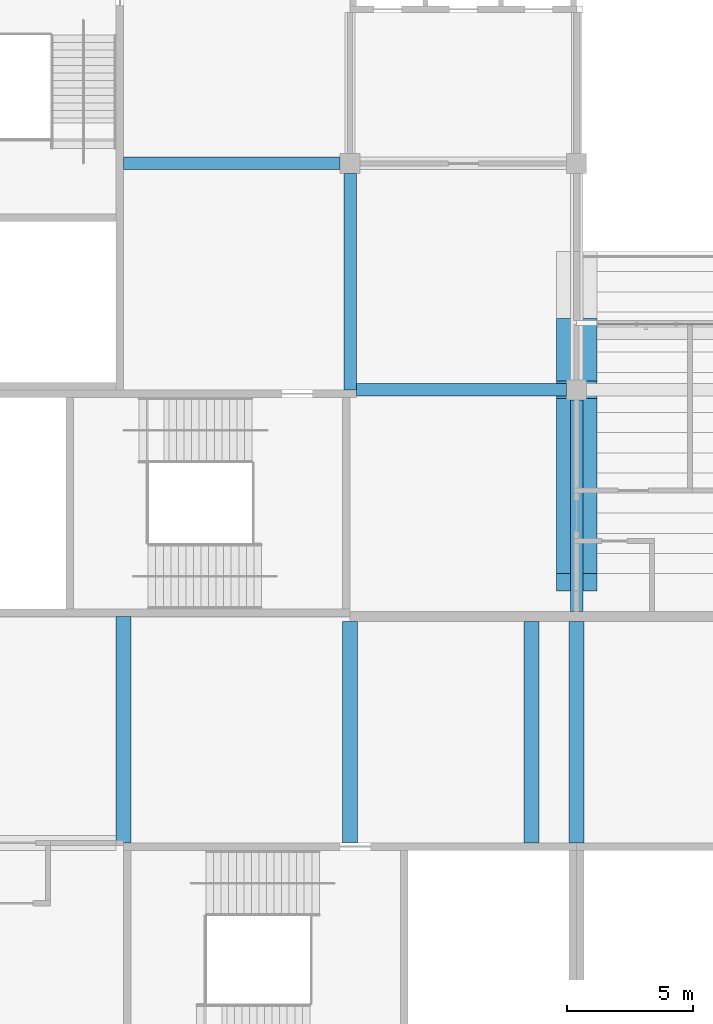
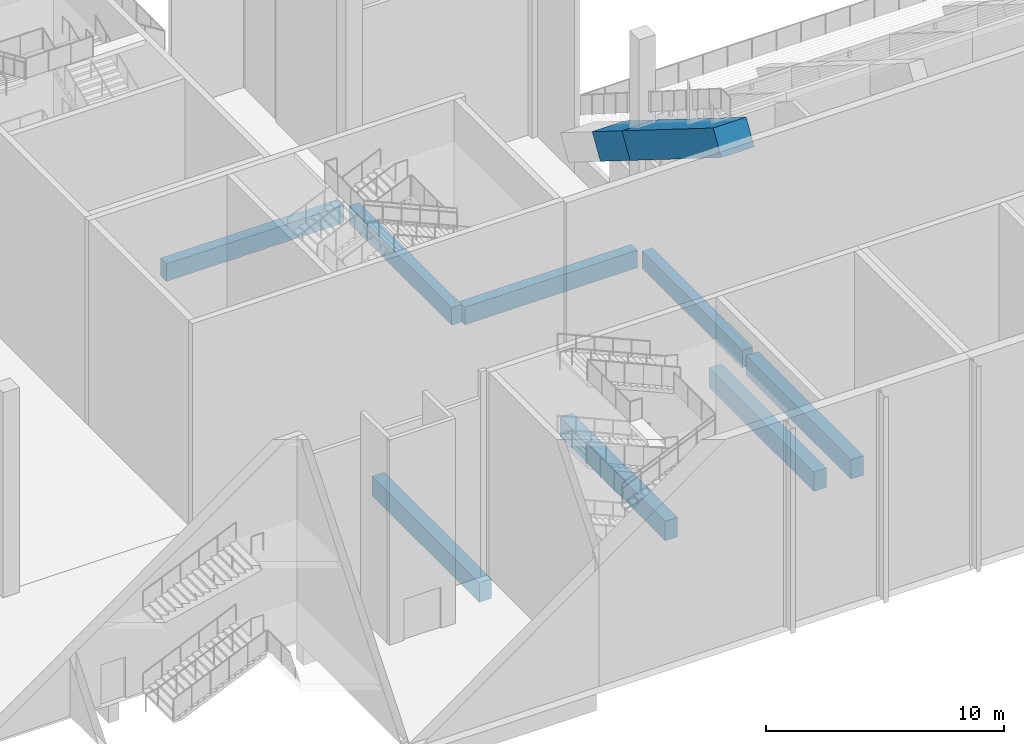
# One storey, part 21 of 182: 10 beams.
"""IFC4 building model written with IfcOpenShell, lengths in metres."""

from ifc_helpers import new_model, si_unit, direction, frame, origin, origin_2d, place, context, subcontext, project, spatial, rectangle, extrude, material, material_profile, profile_set, type_object, element, save


model = new_model("IFC4")

# Units and contexts
model_context = context("Model", 3, precision=1e-05, world=origin(), true_north=direction((0.0, 1.0)))
body_context = subcontext(model_context, "Body", "Model", "MODEL_VIEW")
ifc_project = project(units=[si_unit("LENGTHUNIT", "METRE"), si_unit("AREAUNIT", "SQUARE_METRE"), si_unit("VOLUMEUNIT", "CUBIC_METRE"), si_unit("PLANEANGLEUNIT", "RADIAN"), si_unit("MASSUNIT", "GRAM", prefix="KILO")], contexts=[model_context])

# Site, building, storey
site_placement = place(None, origin())
site = spatial("IfcSite", under=ifc_project, at=site_placement, CompositionType="ELEMENT")
building_placement = place(site_placement, origin())
building = spatial("IfcBuilding", under=site, at=building_placement, Name="Silverbay Arena", CompositionType="ELEMENT")
storey_placement = place(building_placement, frame((0.0, 0.0, 11.5)))
storey = spatial("IfcBuildingStorey", under=building, at=storey_placement, Name="L02", CompositionType="ELEMENT", Elevation=11.5)

# Beams
ifc_material_1 = material(Name="Concrete Grade C45", Category="concrete")
ifc_material_profile_1 = material_profile(ifc_material_1, rectangle(XDim=0.5, YDim=0.89990234375, at=origin_2d()), Name="RC 500x900")
ifc_profile_set_1 = profile_set([ifc_material_profile_1], Name="Concrete Grade C45")
beam_type_1 = type_object("IfcBeamType", Name="RC beam 500x900", PredefinedType="BEAM", material=ifc_profile_set_1)
beam_1_placement = place(storey_placement, frame((90.25, 45.0, -0.800048828125), z_axis=(1.0, 0.0, 0.0), x_axis=(0.0, 1.0, 0.0)))
element("IfcBeam", 1, at=beam_1_placement, inside=storey, type_object=beam_type_1, Name="Floor beam L02 032", PredefinedType="BEAM", context=body_context, shape_type="SweptSolid", body=[
    extrude(rectangle(XDim=0.5, YDim=0.89990234375, at=origin_2d()), origin(), (0.0, 0.0, 1.0), 8.35009765625),
])
for number, where, z_axis, x_axis, name in (
    (2, (81.0, 54.0, -0.800048828125), (1.0, 0.0, 0.0), (0.0, 1.0, 0.0), "Floor beam L02 050"),
    (3, (90.0, 45.0, -0.800048828125), (0.0, 1.0, 0.0), (-1.0, 0.0, 0.0), "Floor beam L02 238"),
):
    element("IfcBeam", number, at=place(storey_placement, frame(where, z_axis=z_axis, x_axis=x_axis)), inside=storey, type_object=beam_type_1, Name=name, PredefinedType="BEAM", context=body_context, shape_type="SweptSolid", body=[
        extrude(rectangle(XDim=0.5, YDim=0.89990234375, at=origin_2d()), origin(), (0.0, 0.0, 1.0), 8.60009765625),
    ])
beam_2_placement = place(storey_placement, frame((99.0, 36.199951171875, -0.800048828125), z_axis=(0.0, 1.0, 0.0), x_axis=(-1.0, 0.0, 0.0)))
element("IfcBeam", 4, at=beam_2_placement, inside=storey, type_object=beam_type_1, Name="Floor beam L02 246", PredefinedType="BEAM", context=body_context, shape_type="SweptSolid", body=[
    extrude(rectangle(XDim=0.5, YDim=0.89990234375, at=origin_2d()), origin(), (0.0, 0.0, 1.0), 8.400146484375),
])
ifc_material_2 = material(Name="Concrete Grade C45", Category="concrete")
ifc_material_profile_2 = material_profile(ifc_material_2, rectangle(XDim=0.60009765625, YDim=1.0, at=origin_2d()), Name="RC 600x1000")
ifc_profile_set_2 = profile_set([ifc_material_profile_2], Name="Concrete Grade C45")
beam_type_2 = type_object("IfcBeamType", Name="RC beam 600x1000", PredefinedType="BEAM", material=ifc_profile_set_2)
beam_3_placement = place(storey_placement, frame((81.0, 27.0, -0.85009765625), z_axis=(0.0, 1.0, 0.0), x_axis=(-1.0, 0.0, 0.0)))
element("IfcBeam", 5, at=beam_3_placement, inside=storey, type_object=beam_type_2, Name="Floor beam L02 231", PredefinedType="BEAM", context=body_context, shape_type="SweptSolid", body=[
    extrude(rectangle(XDim=0.60009765625, YDim=1.0, at=origin_2d()), origin(), (0.0, 0.0, 1.0), 9.0),
])
for number, where, z_axis, x_axis, name in (
    (6, (90.0, 27.0, -0.85009765625), (0.0, 1.0, 0.0), (-1.0, 0.0, 0.0), "Floor beam L02 237"),
    (7, (97.199951171875, 27.0, -0.85009765625), (0.0, 1.0, 0.0), (-1.0, 0.0, 0.0), "Floor beam L02 243"),
    (8, (99.0, 27.0, -0.85009765625), (0.0, 1.0, 0.0), (-1.0, 0.0, 0.0), "Floor beam L02 245"),
):
    element("IfcBeam", number, at=place(storey_placement, frame(where, z_axis=z_axis, x_axis=x_axis)), inside=storey, type_object=beam_type_2, Name=name, PredefinedType="BEAM", context=body_context, shape_type="SweptSolid", body=[
        extrude(rectangle(XDim=0.60009765625, YDim=1.0, at=origin_2d()), origin(), (0.0, 0.0, 1.0), 8.800048828125),
    ])
ifc_material_3 = material(Name="Concrete Grade C45", Category="concrete")
ifc_material_profile_3 = material_profile(ifc_material_3, rectangle(XDim=1.60009765625, YDim=1.300048828125, at=origin_2d()), Name="RC 1600x1300")
ifc_profile_set_3 = profile_set([ifc_material_profile_3], Name="Concrete Grade C45")
beam_type_3 = type_object("IfcBeamType", Name="RC cantilever raker 1600x1300", PredefinedType="BEAM", material=ifc_profile_set_3)
beam_4_placement = place(storey_placement, frame((99.0, 47.5, 3.428466796875), z_axis=(0.0, -0.847998304005, 0.529998940003), x_axis=(1.0, 0.0, 0.0)))
element("IfcBeam", 9, at=beam_4_placement, inside=storey, type_object=beam_type_3, Name="Raker South upper 99 mid", PredefinedType="BEAM", context=body_context, shape_type="SweptSolid", body=[
    extrude(rectangle(XDim=1.60009765625, YDim=1.300048828125, at=origin_2d()), origin(), (0.0, 0.0, 1.0), 2.947998046875),
])
ifc_material_4 = material(Name="Concrete Grade C45", Category="concrete")
ifc_material_profile_4 = material_profile(ifc_material_4, rectangle(XDim=1.60009765625, YDim=1.300048828125, at=origin_2d()), Name="RC 1600x1300")
ifc_profile_set_4 = profile_set([ifc_material_profile_4], Name="Concrete Grade C45")
beam_type_4 = type_object("IfcBeamType", Name="RC tier raker 1600x1300", PredefinedType="BEAM", material=ifc_profile_set_4)
beam_5_placement = place(storey_placement, frame((99.0, 45.0, 4.990966796875), z_axis=(0.0, -0.847998304005, 0.529998940003), x_axis=(1.0, 0.0, 0.0)))
element("IfcBeam", 10, at=beam_5_placement, inside=storey, type_object=beam_type_4, Name="Raker South upper 99 back", PredefinedType="BEAM", context=body_context, shape_type="SweptSolid", body=[
    extrude(rectangle(XDim=1.60009765625, YDim=1.300048828125, at=origin_2d()), origin(), (0.0, 0.0, 1.0), 9.014892578125),
])

save(model, "model.ifc")
